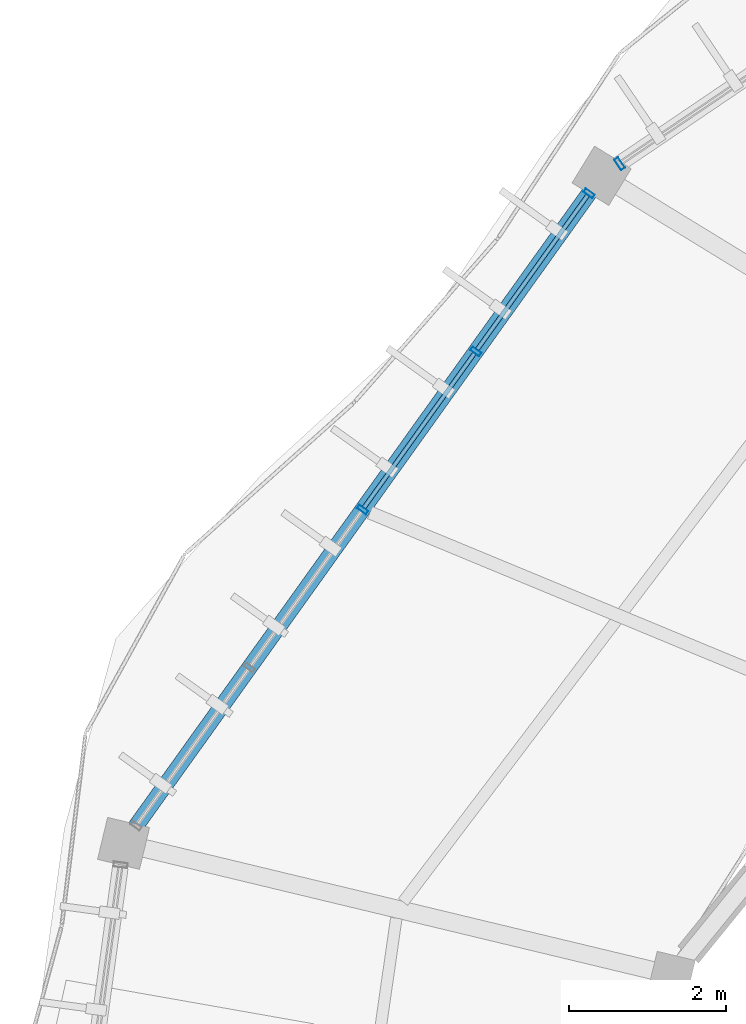
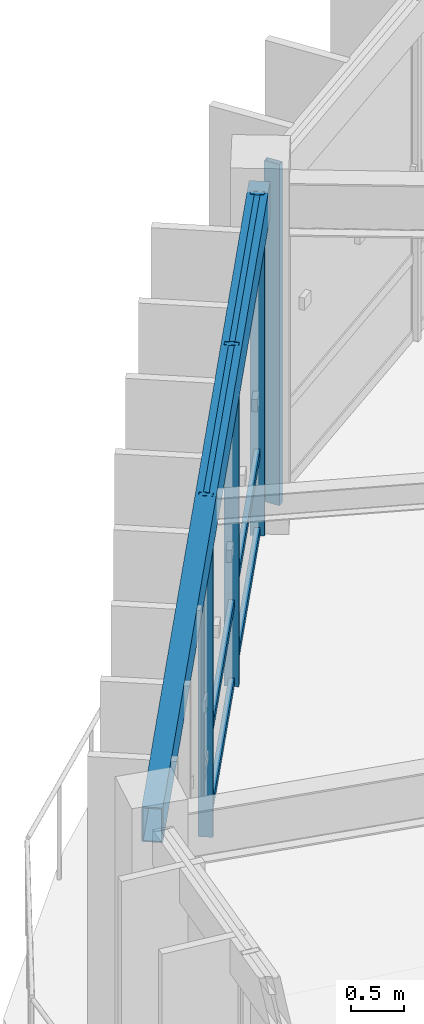
# One storey, part 25 of 79: 10 members, 1 beam, 2 elements without a shape of their own.
"""IFC4 building model written with IfcOpenShell, lengths in metres."""

from ifc_helpers import new_model, si_unit, direction, frame, origin, origin_2d, place, context, subcontext, project, spatial, hollow_rectangle, extrude, material, material_profile, profile_set, type_object, element, aggregate, save


model = new_model("IFC4")

# Units and contexts
model_context = context("Model", 3, precision=1e-05, world=origin(), true_north=direction((0.0, 1.0)))
body_context = subcontext(model_context, "Body", "Model", "MODEL_VIEW")
ifc_project = project(units=[si_unit("LENGTHUNIT", "METRE"), si_unit("AREAUNIT", "SQUARE_METRE"), si_unit("VOLUMEUNIT", "CUBIC_METRE"), si_unit("PLANEANGLEUNIT", "RADIAN"), si_unit("MASSUNIT", "GRAM", prefix="KILO"), si_unit("THERMODYNAMICTEMPERATUREUNIT", "KELVIN"), si_unit("POWERUNIT", "WATT")], contexts=[model_context])

# Site, building, storey
site_placement = place(None, origin())
site = spatial("IfcSite", under=ifc_project, at=site_placement, CompositionType="ELEMENT")
building_placement = place(site_placement, origin())
building = spatial("IfcBuilding", under=site, at=building_placement, Name="Darbajah Civic Hall", CompositionType="ELEMENT")
storey_placement = place(building_placement, frame((0.0, 0.0, 22.199951171875)))
storey = spatial("IfcBuildingStorey", under=building, at=storey_placement, Name="L05", CompositionType="ELEMENT", Elevation=22.199951171875)

# Curtain wall, members
ifc_material_1 = material(Name="Anodised Bronze Aluminium and Low-E Glazing", Category="aluminium")
curtain_wall_type_1 = type_object("IfcCurtainWallType", Name="Unitised Curtain Wall CW-68 9900x3900", PredefinedType="USERDEFINED", material=ifc_material_1)
curtain_wall_1_placement = place(storey_placement, origin())
curtain_wall_1 = element("IfcCurtainWall", 1, at=curtain_wall_1_placement, inside=storey, type_object=curtain_wall_type_1, Name="L05 unitised curtain wall CW-V1O-L05-08", ObjectType="UNITISED CURTAIN WALL", PredefinedType="USERDEFINED")
ifc_material_2 = material(Name="Anodised Bronze Aluminium", Category="aluminium")
ifc_material_profile_1 = material_profile(ifc_material_2, hollow_rectangle(XDim=0.054931640625, YDim=0.139892578125, WallThickness=0.003173828125, at=origin_2d()), Name="ALU MULLION 55x140")
ifc_profile_set_1 = profile_set([ifc_material_profile_1], Name="Anodised Bronze Aluminium")
member_type_1 = type_object("IfcMemberType", Name="ALU MULLION 55x140", PredefinedType="MULLION", material=ifc_profile_set_1)
member_1_placement = place(storey_placement, frame((45.4541015625, 104.988525390625, 0.0), z_axis=(0.0, 0.0, 1.0), x_axis=(-0.582264874145, -0.812999149039, 0.0)))
member_1 = element("IfcMember", 2, at=member_1_placement, type_object=member_type_1, Name="CW-V1O-L05-08 mullion 1", PredefinedType="MULLION", context=body_context, shape_type="SweptSolid", body=[
    extrude(hollow_rectangle(XDim=0.054931640625, YDim=0.139892578125, WallThickness=0.003173828125, at=origin_2d()), origin(), (0.0, 0.0, 1.0), 3.920166015625),
])
member_2_placement = place(storey_placement, frame((44.00830078125, 102.96923828125, 0.0), z_axis=(0.0, 0.0, 1.0), x_axis=(-0.582264874145, -0.812999149039, 0.0)))
member_2 = element("IfcMember", 3, at=member_2_placement, type_object=member_type_1, Name="CW-V1O-L05-08 mullion 2", PredefinedType="MULLION", context=body_context, shape_type="SweptSolid", body=[
    extrude(hollow_rectangle(XDim=0.054931640625, YDim=0.139892578125, WallThickness=0.003173828125, at=origin_2d()), origin(), (0.0, 0.0, 1.0), 3.920166015625),
])
member_3_placement = place(storey_placement, frame((42.562255859375, 100.9501953125, 0.0), z_axis=(0.0, 0.0, 1.0), x_axis=(-0.582264874145, -0.812999149039, 0.0)))
member_3 = element("IfcMember", 4, at=member_3_placement, type_object=member_type_1, Name="CW-V1O-L05-08 mullion 3", PredefinedType="MULLION", context=body_context, shape_type="SweptSolid", body=[
    extrude(hollow_rectangle(XDim=0.054931640625, YDim=0.139892578125, WallThickness=0.003173828125, at=origin_2d()), origin(), (0.0, 0.0, 1.0), 3.920166015625),
])

# Curtain wall, member
curtain_wall_type_2 = type_object("IfcCurtainWallType", Name="Unitised Curtain Wall CW-81 12000x3900", PredefinedType="USERDEFINED", material=ifc_material_1)
curtain_wall_2_placement = place(storey_placement, origin())
curtain_wall_2 = element("IfcCurtainWall", 5, at=curtain_wall_2_placement, inside=storey, type_object=curtain_wall_type_2, Name="L05 unitised curtain wall CW-V1O-L05-07", ObjectType="UNITISED CURTAIN WALL", PredefinedType="USERDEFINED")
ifc_material_profile_2 = material_profile(ifc_material_2, hollow_rectangle(XDim=0.06005859375, YDim=0.159912109375, WallThickness=0.00341796875, at=origin_2d()), Name="ALU MULLION 60x160")
ifc_profile_set_2 = profile_set([ifc_material_profile_2], Name="Anodised Bronze Aluminium")
member_type_2 = type_object("IfcMemberType", Name="ALU MULLION 60x160", PredefinedType="MULLION", material=ifc_profile_set_2)
member_4_placement = place(storey_placement, frame((45.8447265625, 105.368896484375, 0.0), z_axis=(0.0, 0.0, 1.0), x_axis=(-0.827962472047, -0.560783509816, 0.0)))
member_4 = element("IfcMember", 6, at=member_4_placement, type_object=member_type_2, Name="CW-V1O-L05-07 mullion 5", PredefinedType="MULLION", context=body_context, shape_type="SweptSolid", body=[
    extrude(hollow_rectangle(XDim=0.06005859375, YDim=0.159912109375, WallThickness=0.00341796875, at=origin_2d()), origin(), (0.0, 0.0, 1.0), 3.920166015625),
])
aggregate(curtain_wall_2, [member_4])

# Member
ifc_material_profile_3 = material_profile(ifc_material_2, hollow_rectangle(XDim=0.054931640625, YDim=0.10009765625, WallThickness=0.0029296875, at=origin_2d()), Name="ALU TRANSOM 55x100")
ifc_profile_set_3 = profile_set([ifc_material_profile_3], Name="Anodised Bronze Aluminium")
member_type_3 = type_object("IfcMemberType", Name="ALU TRANSOM 55x100", PredefinedType="USERDEFINED", material=ifc_profile_set_3)
member_5_placement = place(storey_placement, frame((45.435302734375, 104.962158203125, 0.050048828125), z_axis=(-0.582202139008, -0.813044075886, 0.0), x_axis=(0.813044075886, -0.582202139008, 0.0)))
member_5 = element("IfcMember", 7, at=member_5_placement, type_object=member_type_3, Name="CW-V1O-L05-08 transom 1.1", ObjectType="TRANSOM", PredefinedType="USERDEFINED", context=body_context, shape_type="SweptSolid", body=[
    extrude(hollow_rectangle(XDim=0.054931640625, YDim=0.10009765625, WallThickness=0.0029296875, at=origin_2d()), origin(), (0.0, 0.0, 1.0), 2.418701171875),
])

member_6_placement = place(storey_placement, frame((45.435302734375, 104.962158203125, 0.949951171875), z_axis=(-0.582202139008, -0.813044075886, 0.0), x_axis=(0.813044075886, -0.582202139008, 0.0)))
member_6 = element("IfcMember", 8, at=member_6_placement, type_object=member_type_3, Name="CW-V1O-L05-08 transom 1.2", ObjectType="TRANSOM", PredefinedType="USERDEFINED", context=body_context, shape_type="SweptSolid", body=[
    extrude(hollow_rectangle(XDim=0.054931640625, YDim=0.10009765625, WallThickness=0.0029296875, at=origin_2d()), origin(), (0.0, 0.0, 1.0), 2.418701171875),
])

member_7_placement = place(storey_placement, frame((45.435302734375, 104.962158203125, 3.8701171875), z_axis=(-0.582202139008, -0.813044075886, 0.0), x_axis=(0.813044075886, -0.582202139008, 0.0)))
member_7 = element("IfcMember", 9, at=member_7_placement, type_object=member_type_3, Name="CW-V1O-L05-08 transom 1.3", ObjectType="TRANSOM", PredefinedType="USERDEFINED", context=body_context, shape_type="SweptSolid", body=[
    extrude(hollow_rectangle(XDim=0.054931640625, YDim=0.10009765625, WallThickness=0.0029296875, at=origin_2d()), origin(), (0.0, 0.0, 1.0), 2.418701171875),
])

member_8_placement = place(storey_placement, frame((43.9892578125, 102.94287109375, 0.050048828125), z_axis=(-0.582183191935, -0.813057643115, 0.0), x_axis=(0.813057643115, -0.582183191935, 0.0)))
member_8 = element("IfcMember", 10, at=member_8_placement, type_object=member_type_3, Name="CW-V1O-L05-08 transom 2.1", ObjectType="TRANSOM", PredefinedType="USERDEFINED", context=body_context, shape_type="SweptSolid", body=[
    extrude(hollow_rectangle(XDim=0.054931640625, YDim=0.10009765625, WallThickness=0.0029296875, at=origin_2d()), origin(), (0.0, 0.0, 1.0), 2.41845703125),
])

member_9_placement = place(storey_placement, frame((43.9892578125, 102.94287109375, 0.949951171875), z_axis=(-0.582183191935, -0.813057643115, 0.0), x_axis=(0.813057643115, -0.582183191935, 0.0)))
member_9 = element("IfcMember", 11, at=member_9_placement, type_object=member_type_3, Name="CW-V1O-L05-08 transom 2.2", ObjectType="TRANSOM", PredefinedType="USERDEFINED", context=body_context, shape_type="SweptSolid", body=[
    extrude(hollow_rectangle(XDim=0.054931640625, YDim=0.10009765625, WallThickness=0.0029296875, at=origin_2d()), origin(), (0.0, 0.0, 1.0), 2.41845703125),
])

member_10_placement = place(storey_placement, frame((43.9892578125, 102.94287109375, 3.8701171875), z_axis=(-0.582183191935, -0.813057643115, 0.0), x_axis=(0.813057643115, -0.582183191935, 0.0)))
member_10 = element("IfcMember", 12, at=member_10_placement, type_object=member_type_3, Name="CW-V1O-L05-08 transom 2.3", ObjectType="TRANSOM", PredefinedType="USERDEFINED", context=body_context, shape_type="SweptSolid", body=[
    extrude(hollow_rectangle(XDim=0.054931640625, YDim=0.10009765625, WallThickness=0.0029296875, at=origin_2d()), origin(), (0.0, 0.0, 1.0), 2.41845703125),
])

aggregate(curtain_wall_1, [member_1, member_2, member_3, member_5, member_6, member_7, member_8, member_9, member_10])

# Beam
ifc_material_3 = material(Name="Steel S355JR", Category="steel")
ifc_material_profile_4 = material_profile(ifc_material_3, hollow_rectangle(XDim=0.199951171875, YDim=0.39990234375, WallThickness=0.013916015625, at=origin_2d()), Name="RHS 400x200x14")
ifc_profile_set_4 = profile_set([ifc_material_profile_4], Name="Steel S355JR")
beam_type = type_object("IfcBeamType", Name="RHS 400x200x14", PredefinedType="SPANDREL", material=ifc_profile_set_4)
beam_placement = place(storey_placement, frame((45.56884765625, 105.148681640625, 3.719970703125), z_axis=(-0.58222165068, -0.813030103674, 0.0), x_axis=(0.813030103674, -0.58222165068, 0.0)))
element("IfcBeam", 13, at=beam_placement, inside=storey, type_object=beam_type, Name="L05 beam SP-RHS400", PredefinedType="SPANDREL", context=body_context, shape_type="SweptSolid", body=[
    extrude(hollow_rectangle(XDim=0.199951171875, YDim=0.39990234375, WallThickness=0.013916015625, at=origin_2d()), origin(), (0.0, 0.0, 1.0), 10.327880859375),
])

save(model, "model.ifc")
